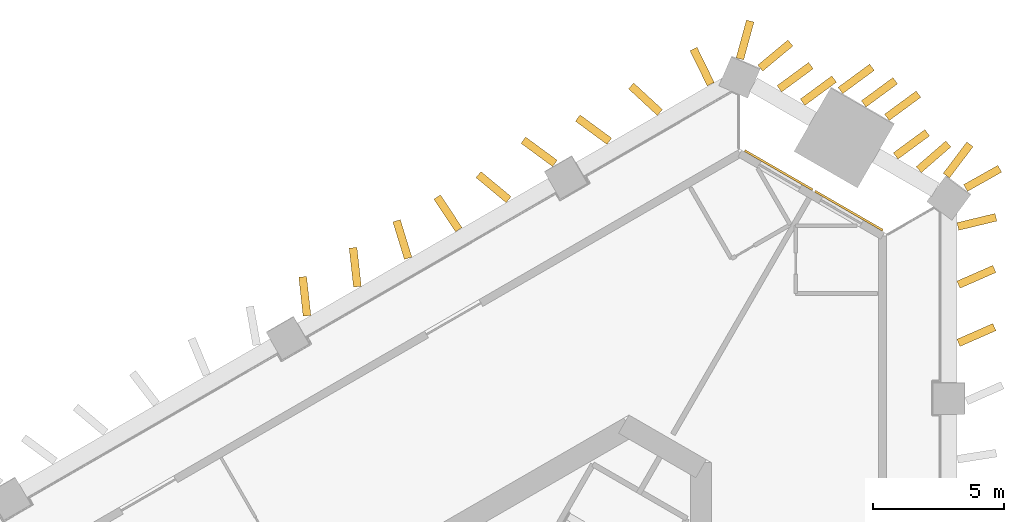
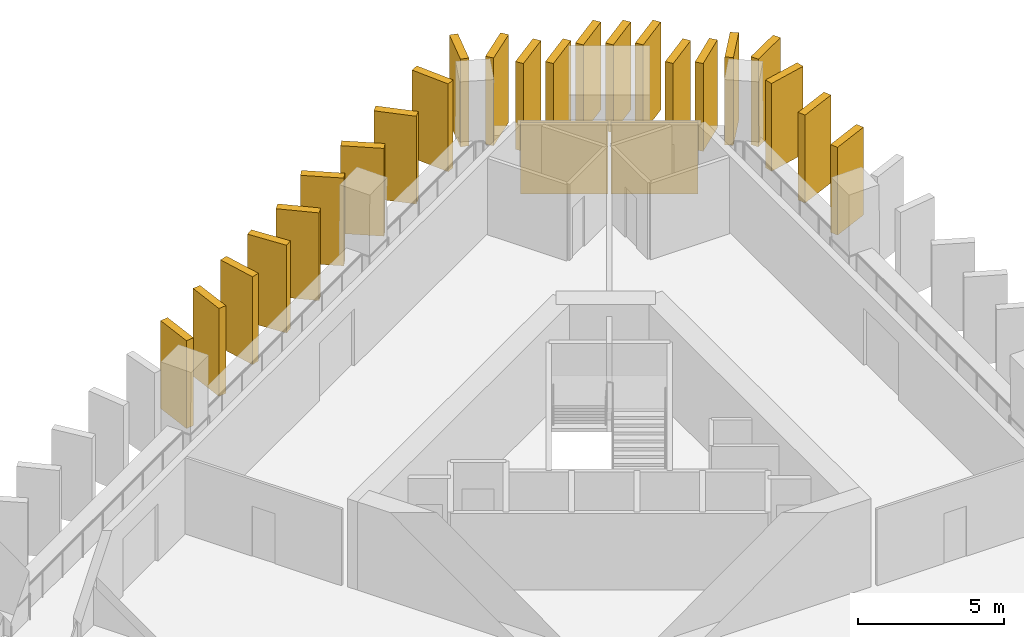
# One storey, part 10 of 10: 23 shading devices, 2 coverings.
"""IFC4 building model written with IfcOpenShell, lengths in metres."""

from ifc_helpers import new_model, si_unit, direction, frame, frame_2d, origin, origin_2d, place, context, subcontext, project, spatial, rectangle, extrude, material, layer, layer_set, type_object, element, save


model = new_model("IFC4")

# Units and contexts
model_context = context("Model", 3, precision=1e-05, world=origin(), true_north=direction((0.0, 1.0)))
body_context = subcontext(model_context, "Body", "Model", "MODEL_VIEW")
ifc_project = project(units=[si_unit("LENGTHUNIT", "METRE"), si_unit("AREAUNIT", "SQUARE_METRE"), si_unit("VOLUMEUNIT", "CUBIC_METRE"), si_unit("PLANEANGLEUNIT", "RADIAN"), si_unit("MASSUNIT", "GRAM", prefix="KILO")], contexts=[model_context])

# Site, building, storey
site_placement = place(None, origin())
site = spatial("IfcSite", under=ifc_project, at=site_placement, CompositionType="ELEMENT")
building_placement = place(site_placement, origin())
building = spatial("IfcBuilding", under=site, at=building_placement, Name="Jabali Bay Hotel Tower and Convention Centre", CompositionType="ELEMENT")
storey_placement = place(building_placement, frame((0.0, 0.0, 33.699951171875)))
storey = spatial("IfcBuildingStorey", under=building, at=storey_placement, Name="L06", CompositionType="ELEMENT", Elevation=33.699951171875)

# Shading devices
ifc_material_1 = material(Name="Precast concrete C60", Category="concrete")
ifc_layer_1 = layer(ifc_material_1, 0.300048828125)
ifc_layer_set_1 = layer_set([ifc_layer_1], Name="Precast concrete C60")
shading_device_type = type_object("IfcShadingDeviceType", Name="Precast fin 3680 x 1500", PredefinedType="USERDEFINED", material=ifc_layer_set_1)
for number, where, z_axis, x_axis, name in (
    (1, (99.327880859375, 106.712158203125, 0.010009765625), (0.0, 0.0, 1.0), (0.915787158528, 0.401663889683, 0.0), "Fin L06 026"),
    (2, (99.327880859375, 108.938232421875, 0.010009765625), (0.0, 0.0, 1.0), (0.915787158528, 0.401663889683, 0.0), "Fin L06 027"),
    (3, (99.302978515625, 111.1640625, 0.010009765625), (0.0, 0.0, 1.0), (0.972064282715, 0.234714784942, 0.0), "Fin L06 028"),
    (4, (98.862548828125, 113.109375, 0.010009765625), (0.0, 0.0, 1.0), (0.602575163432, 0.798062135685, 0.0), "Fin L06 029"),
):
    element("IfcShadingDevice", number, at=place(storey_placement, frame(where, z_axis=z_axis, x_axis=x_axis)), inside=storey, type_object=shading_device_type, Name=name, ObjectType="FIN", PredefinedType="USERDEFINED", context=body_context, shape_type="SweptSolid", body=[
        extrude(rectangle(XDim=1.5, YDim=0.300048828125, at=frame_2d((0.75, 0.0))), origin(), (0.0, 0.0, 1.0), 3.679931640625),
    ])
shading_device_1_placement = place(storey_placement, frame((97.80810546875, 113.338623046875, 0.010009765625), z_axis=(0.0, 0.0, 1.0), x_axis=(0.754630051944, 0.656150504613, 0.0)))
element("IfcShadingDevice", 5, at=shading_device_1_placement, inside=storey, type_object=shading_device_type, Name="Fin L06 030", ObjectType="FIN", PredefinedType="USERDEFINED", context=body_context, shape_type="SweptSolid", body=[
    extrude(rectangle(XDim=1.499755859375, YDim=0.300048828125, at=frame_2d((0.75, 0.0))), origin(), (0.0, 0.0, 1.0), 3.679931640625),
])
for number, where, z_axis, x_axis, name in (
    (6, (96.923828125, 113.8623046875, 0.010009765625), (0.0, 0.0, 1.0), (0.805840602837, 0.592132521333, 0.0), "Fin L06 031"),
    (7, (96.58984375, 115.339599609375, 0.010009765625), (0.0, 0.0, 1.0), (0.805840602837, 0.592132521333, 0.0), "Fin L06 032"),
    (8, (95.699951171875, 115.853271484375, 0.010009765625), (0.0, 0.0, 1.0), (0.805762938582, 0.592238201071, 0.0), "Fin L06 033"),
    (9, (94.809814453125, 116.3671875, 0.010009765625), (0.0, 0.0, 1.0), (0.805840602837, 0.592132521333, 0.0), "Fin L06 034"),
    (10, (93.36376953125, 115.917724609375, 0.010009765625), (0.0, 0.0, 1.0), (0.805840602837, 0.592132521333, 0.0), "Fin L06 035"),
    (11, (92.4736328125, 116.431640625, 0.010009765625), (0.0, 0.0, 1.0), (0.805840602837, 0.592132521333, 0.0), "Fin L06 036"),
):
    element("IfcShadingDevice", number, at=place(storey_placement, frame(where, z_axis=z_axis, x_axis=x_axis)), inside=storey, type_object=shading_device_type, Name=name, ObjectType="FIN", PredefinedType="USERDEFINED", context=body_context, shape_type="SweptSolid", body=[
        extrude(rectangle(XDim=1.5, YDim=0.300048828125, at=frame_2d((0.75, 0.0))), origin(), (0.0, 0.0, 1.0), 3.679931640625),
    ])
shading_device_2_placement = place(storey_placement, frame((91.744873046875, 117.224609375, 0.010009765625), z_axis=(0.0, 0.0, 1.0), x_axis=(0.768607973767, 0.63972008149, 0.0)))
element("IfcShadingDevice", 12, at=shading_device_2_placement, inside=storey, type_object=shading_device_type, Name="Fin L06 037", ObjectType="FIN", PredefinedType="USERDEFINED", context=body_context, shape_type="SweptSolid", body=[
    extrude(rectangle(XDim=1.500244140625, YDim=0.300048828125, at=frame_2d((0.75, 0.0))), origin(), (0.0, 0.0, 1.0), 3.679931640625),
])
for number, where, z_axis, x_axis, name in (
    (13, (89.849853515625, 116.607421875, 0.010009765625), (0.0, 0.0, 1.0), (-0.439318145264, 0.898331546391, 0.0), "Fin L06 038"),
    (14, (87.905029296875, 115.524169921875, 0.010009765625), (0.0, 0.0, 1.0), (-0.734547548291, 0.678557218884, 0.0), "Fin L06 039"),
    (15, (85.969482421875, 114.4248046875, 0.010009765625), (0.0, 0.0, 1.0), (-0.805840602837, 0.592132521333, 0.0), "Fin L06 040"),
    (16, (83.887939453125, 113.578125, 0.010009765625), (0.0, 0.0, 1.0), (-0.805840602837, 0.592132521333, 0.0), "Fin L06 041"),
    (17, (82.117919921875, 112.191650390625, 0.010009765625), (0.0, 0.0, 1.0), (-0.7695004288, 0.638646294968, 0.0), "Fin L06 042"),
    (18, (80.21142578125, 111.041748046875, 0.010009765625), (0.0, 0.0, 1.0), (-0.554023946654, 0.832500730651, 0.0), "Fin L06 043"),
    (19, (78.271728515625, 109.949462890625, 0.010009765625), (0.0, 0.0, 1.0), (-0.294268837702, 0.955722685279, 0.0), "Fin L06 044"),
    (20, (76.33056640625, 108.859619140625, 0.010009765625), (0.0, 0.0, 1.0), (-0.110020665906, 0.993929299837, 0.0), "Fin L06 045"),
    (21, (74.40283203125, 107.74658203125, 0.010009765625), (0.0, 0.0, 1.0), (-0.110020665906, 0.993929299837, 0.0), "Fin L06 046"),
):
    element("IfcShadingDevice", number, at=place(storey_placement, frame(where, z_axis=z_axis, x_axis=x_axis)), inside=storey, type_object=shading_device_type, Name=name, ObjectType="FIN", PredefinedType="USERDEFINED", context=body_context, shape_type="SweptSolid", body=[
        extrude(rectangle(XDim=1.5, YDim=0.300048828125, at=frame_2d((0.75, 0.0))), origin(), (0.0, 0.0, 1.0), 3.679931640625),
    ])
shading_device_3_placement = place(storey_placement, frame((99.5986328125, 112.636962890625, 0.010009765625), z_axis=(0.0, 0.0, 1.0), x_axis=(0.871340735667, 0.490678430713, 0.0)))
element("IfcShadingDevice", 22, at=shading_device_3_placement, inside=storey, type_object=shading_device_type, Name="Fin L06 115", ObjectType="FIN", PredefinedType="USERDEFINED", context=body_context, shape_type="SweptSolid", body=[
    extrude(rectangle(XDim=1.500244140625, YDim=0.300048828125, at=frame_2d((0.75, 0.0))), origin(), (0.0, 0.0, 1.0), 3.679931640625),
])
shading_device_4_placement = place(storey_placement, frame((90.965087890625, 117.578125, 0.010009765625), z_axis=(0.0, 0.0, 1.0), x_axis=(0.263654438879, 0.964617197058, 0.0)))
element("IfcShadingDevice", 23, at=shading_device_4_placement, inside=storey, type_object=shading_device_type, Name="Fin L06 116", ObjectType="FIN", PredefinedType="USERDEFINED", context=body_context, shape_type="SweptSolid", body=[
    extrude(rectangle(XDim=1.5, YDim=0.300048828125, at=frame_2d((0.75, 0.0))), origin(), (0.0, 0.0, 1.0), 3.679931640625),
])

# Coverings
ifc_material_2 = material(Name="Precast concrete C40/50", Category="concrete")
ifc_layer_2 = layer(ifc_material_2, 0.080078125)
ifc_layer_set_2 = layer_set([ifc_layer_2], Name="Precast concrete C40/50")
covering_type = type_object("IfcCoveringType", Name="Relief panel 3000 x 3000", PredefinedType="CLADDING", material=ifc_layer_set_2)
for number, where, z_axis, x_axis, name in (
    (24, (92.447265625, 113.321044921875, 0.10009765625), (0.0, 0.0, 1.0), (0.866025379184, -0.500000042609, 0.0), "Relief panel L06"),
    (25, (95.13330078125, 111.770263671875, 0.10009765625), (0.0, 0.0, 1.0), (0.866025379184, -0.500000042609, 0.0), "Relief panel L06"),
):
    element("IfcCovering", number, at=place(storey_placement, frame(where, z_axis=z_axis, x_axis=x_axis)), inside=storey, type_object=covering_type, Name=name, PredefinedType="CLADDING", context=body_context, shape_type="SweptSolid", body=[
        extrude(rectangle(XDim=3.0, YDim=0.080078125, at=origin_2d()), origin(), (0.0, 0.0, 1.0), 3.0),
    ])

save(model, "model.ifc")
